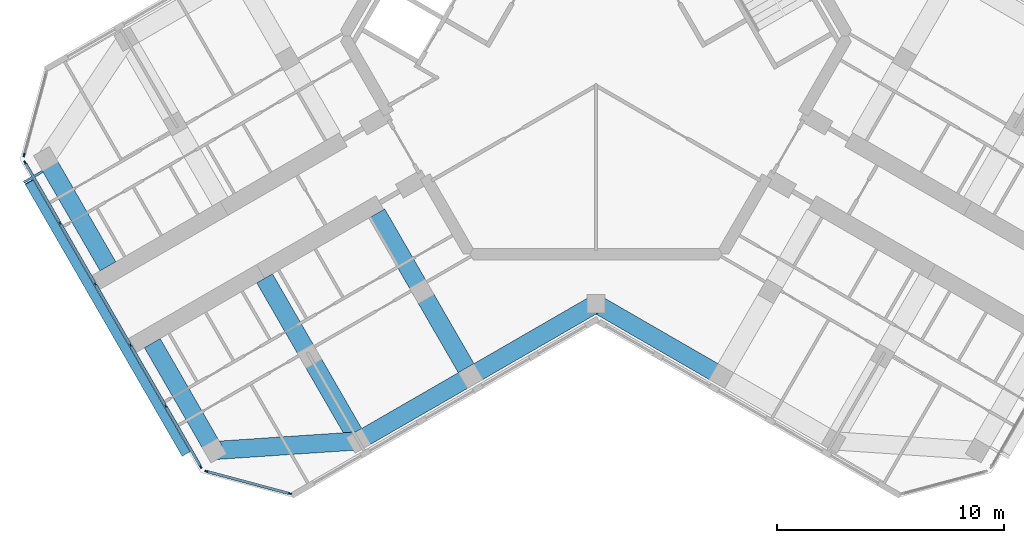
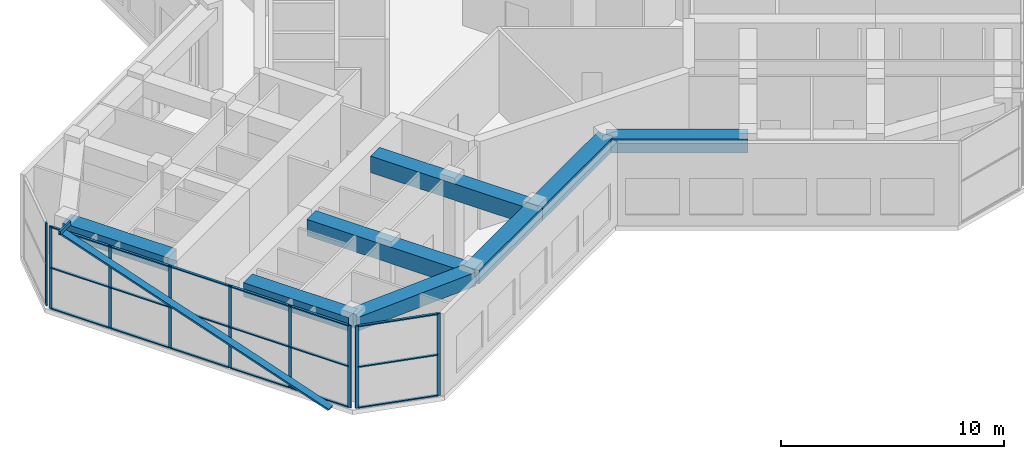
# One storey, part 2 of 14: 29 members, 8 beams, 3 elements without a shape of their own.
"""IFC4 building model written with IfcOpenShell, lengths in metres."""

from ifc_helpers import new_model, si_unit, direction, frame, origin, origin_2d, place, context, subcontext, project, spatial, rectangle, hollow_rectangle, extrude, material, material_profile, profile_set, type_object, element, aggregate, save


model = new_model("IFC4")

# Units and contexts
model_context = context("Model", 3, precision=1e-05, world=origin(), true_north=direction((0.0, 1.0)))
body_context = subcontext(model_context, "Body", "Model", "MODEL_VIEW")
ifc_project = project(units=[si_unit("LENGTHUNIT", "METRE"), si_unit("AREAUNIT", "SQUARE_METRE"), si_unit("VOLUMEUNIT", "CUBIC_METRE"), si_unit("PLANEANGLEUNIT", "RADIAN"), si_unit("MASSUNIT", "GRAM", prefix="KILO")], contexts=[model_context])

# Site, building, storey
site_placement = place(None, origin())
site = spatial("IfcSite", under=ifc_project, at=site_placement, CompositionType="ELEMENT")
building_placement = place(site_placement, origin())
building = spatial("IfcBuilding", under=site, at=building_placement, Name="Kosmar Iwan School Tower", CompositionType="ELEMENT")
storey_placement = place(building_placement, frame((0.0, 0.0, 296.199951171875)))
storey = spatial("IfcBuildingStorey", under=building, at=storey_placement, Name="L75", CompositionType="ELEMENT", Elevation=296.199951171875)

# Members
ifc_material_1 = material(Name="Black anodised aluminium", Category="aluminium")
ifc_material_profile_1 = material_profile(ifc_material_1, rectangle(XDim=0.10009765625, YDim=0.39990234375, at=origin_2d()), Name="FIN 100x400")
ifc_profile_set_1 = profile_set([ifc_material_profile_1], Name="Black anodised aluminium")
member_type_1 = type_object("IfcMemberType", Name="Diagonal fin 100x400", PredefinedType="USERDEFINED", material=ifc_profile_set_1)
member_1_placement = place(storey_placement, frame((-18.0283203125, -18.3740234375, -0.14990234375), z_axis=(-0.472764937305, 0.818851292401, 0.325539360121), x_axis=(0.162769918452, -0.281925218161, 0.945528489794)))
element("IfcMember", 1, at=member_1_placement, inside=storey, type_object=member_type_1, Name="Diagonal fin L75-F13", ObjectType="FIN", PredefinedType="USERDEFINED", context=body_context, shape_type="SweptSolid", body=[
    extrude(rectangle(XDim=0.10009765625, YDim=0.39990234375, at=origin_2d()), origin(), (0.0, 0.0, 1.0), 14.591064453125),
])
ifc_material_2 = material(Name="Steel S355", Category="steel")
ifc_material_profile_2 = material_profile(ifc_material_2, hollow_rectangle(XDim=0.10009765625, YDim=0.199951171875, WallThickness=0.008056640625, at=origin_2d()), Name="RHS 200x100x8")
ifc_profile_set_2 = profile_set([ifc_material_profile_2], Name="Steel S355")
member_type_2 = type_object("IfcMemberType", Name="Fin bracket RHS 200x100", PredefinedType="USERDEFINED", material=ifc_profile_set_2)
member_2_placement = place(storey_placement, frame((-24.327880859375, -5.962890625, 4.650146484375), z_axis=(-0.866100000774, -0.49987077196, 0.0), x_axis=(0.49987077196, -0.866100000774, 0.0)))
element("IfcMember", 2, at=member_2_placement, inside=storey, type_object=member_type_2, Name="Fin bracket RF", ObjectType="FIN BRACKET", PredefinedType="USERDEFINED", context=body_context, shape_type="SweptSolid", body=[
    extrude(hollow_rectangle(XDim=0.10009765625, YDim=0.199951171875, WallThickness=0.008056640625, at=origin_2d()), origin(), (0.0, 0.0, 1.0), 0.949951171875),
])

# Curtain wall, member
ifc_material_3 = material(Name="Dark glass in black aluminium frame", Category="aluminium")
curtain_wall_type = type_object("IfcCurtainWallType", Name="Top floor curtain wall", PredefinedType="USERDEFINED", material=ifc_material_3)
curtain_wall_1_placement = place(storey_placement, origin())
curtain_wall_1 = element("IfcCurtainWall", 3, at=curtain_wall_1_placement, inside=storey, type_object=curtain_wall_type, Name="Curtain wall L75-F12", ObjectType="FULL HEIGHT CURTAIN WALL", PredefinedType="USERDEFINED")
ifc_material_4 = material(Name="Black anodised aluminium", Category="aluminium")
ifc_material_profile_3 = material_profile(ifc_material_4, rectangle(XDim=0.06005859375, YDim=0.159912109375, at=origin_2d()), Name="MULLION 60x160")
ifc_profile_set_3 = profile_set([ifc_material_profile_3], Name="Black anodised aluminium")
member_type_3 = type_object("IfcMemberType", Name="Mullion 60x160", PredefinedType="MULLION", material=ifc_profile_set_3)
member_3_placement = place(storey_placement, frame((-25.141845703125, -5.24853515625, 0.0), z_axis=(0.0, 0.0, 1.0), x_axis=(0.965925875495, -0.258818861462, 0.0)))
member_3 = element("IfcMember", 4, at=member_3_placement, type_object=member_type_3, Name="CW5 mullion 2", PredefinedType="MULLION", context=body_context, shape_type="SweptSolid", body=[
    extrude(rectangle(XDim=0.06005859375, YDim=0.159912109375, at=origin_2d()), origin(), (0.0, 0.0, 1.0), 4.5),
])
aggregate(curtain_wall_1, [member_3])

# Curtain wall, members
curtain_wall_2_placement = place(storey_placement, origin())
curtain_wall_2 = element("IfcCurtainWall", 5, at=curtain_wall_2_placement, inside=storey, type_object=curtain_wall_type, Name="Curtain wall L75-F13", ObjectType="FULL HEIGHT CURTAIN WALL", PredefinedType="USERDEFINED")
member_4_placement = place(storey_placement, frame((-25.098388671875, -5.578369140625, 0.0), z_axis=(0.0, 0.0, 1.0), x_axis=(0.866025405329, 0.499999997325, 0.0)))
member_4 = element("IfcMember", 6, at=member_4_placement, type_object=member_type_3, Name="CW5 mullion 1", PredefinedType="MULLION", context=body_context, shape_type="SweptSolid", body=[
    extrude(rectangle(XDim=0.06005859375, YDim=0.159912109375, at=origin_2d()), origin(), (0.0, 0.0, 1.0), 4.5),
])
member_5_placement = place(storey_placement, frame((-23.563720703125, -8.236328125, 0.0), z_axis=(0.0, 0.0, 1.0), x_axis=(0.866025405329, 0.499999997325, 0.0)))
member_5 = element("IfcMember", 7, at=member_5_placement, type_object=member_type_3, Name="CW5 mullion 2", PredefinedType="MULLION", context=body_context, shape_type="SweptSolid", body=[
    extrude(rectangle(XDim=0.06005859375, YDim=0.159912109375, at=origin_2d()), origin(), (0.0, 0.0, 1.0), 4.5),
])
member_6_placement = place(storey_placement, frame((-22.01416015625, -10.92041015625, 0.0), z_axis=(0.0, 0.0, 1.0), x_axis=(0.866025405329, 0.499999997325, 0.0)))
member_6 = element("IfcMember", 8, at=member_6_placement, type_object=member_type_3, Name="CW5 mullion 3", PredefinedType="MULLION", context=body_context, shape_type="SweptSolid", body=[
    extrude(rectangle(XDim=0.06005859375, YDim=0.159912109375, at=origin_2d()), origin(), (0.0, 0.0, 1.0), 4.5),
])
member_7_placement = place(storey_placement, frame((-20.46435546875, -13.6044921875, 0.0), z_axis=(0.0, 0.0, 1.0), x_axis=(0.866025405329, 0.499999997325, 0.0)))
member_7 = element("IfcMember", 9, at=member_7_placement, type_object=member_type_3, Name="CW5 mullion 4", PredefinedType="MULLION", context=body_context, shape_type="SweptSolid", body=[
    extrude(rectangle(XDim=0.06005859375, YDim=0.159912109375, at=origin_2d()), origin(), (0.0, 0.0, 1.0), 4.5),
])
member_8_placement = place(storey_placement, frame((-18.914794921875, -16.28857421875, 0.0), z_axis=(0.0, 0.0, 1.0), x_axis=(0.866025405329, 0.499999997325, 0.0)))
member_8 = element("IfcMember", 10, at=member_8_placement, type_object=member_type_3, Name="CW5 mullion 5", PredefinedType="MULLION", context=body_context, shape_type="SweptSolid", body=[
    extrude(rectangle(XDim=0.06005859375, YDim=0.159912109375, at=origin_2d()), origin(), (0.0, 0.0, 1.0), 4.5),
])
member_9_placement = place(storey_placement, frame((-17.380126953125, -18.94677734375, 0.0), z_axis=(0.0, 0.0, 1.0), x_axis=(0.866025405329, 0.499999997325, 0.0)))
member_9 = element("IfcMember", 11, at=member_9_placement, type_object=member_type_3, Name="CW5 mullion 6", PredefinedType="MULLION", context=body_context, shape_type="SweptSolid", body=[
    extrude(rectangle(XDim=0.06005859375, YDim=0.159912109375, at=origin_2d()), origin(), (0.0, 0.0, 1.0), 4.5),
])

curtain_wall_3_placement = place(storey_placement, origin())
curtain_wall_3 = element("IfcCurtainWall", 12, at=curtain_wall_3_placement, inside=storey, type_object=curtain_wall_type, Name="Curtain wall L75-F14", ObjectType="FULL HEIGHT CURTAIN WALL", PredefinedType="USERDEFINED")
member_10_placement = place(storey_placement, frame((-17.1162109375, -19.149169921875, 0.0), z_axis=(0.0, 0.0, 1.0), x_axis=(0.258818861462, 0.965925875495, 0.0)))
member_10 = element("IfcMember", 13, at=member_10_placement, type_object=member_type_3, Name="CW5 mullion 1", PredefinedType="MULLION", context=body_context, shape_type="SweptSolid", body=[
    extrude(rectangle(XDim=0.06005859375, YDim=0.159912109375, at=origin_2d()), origin(), (0.0, 0.0, 1.0), 4.5),
])
member_11_placement = place(storey_placement, frame((-13.466064453125, -20.127197265625, 0.0), z_axis=(0.0, 0.0, 1.0), x_axis=(0.258818861462, 0.965925875495, 0.0)))
member_11 = element("IfcMember", 14, at=member_11_placement, type_object=member_type_3, Name="CW5 mullion 2", PredefinedType="MULLION", context=body_context, shape_type="SweptSolid", body=[
    extrude(rectangle(XDim=0.06005859375, YDim=0.159912109375, at=origin_2d()), origin(), (0.0, 0.0, 1.0), 4.5),
])

# Beams
ifc_material_5 = material(Name="Concrete C50/60", Category="concrete")
ifc_material_profile_4 = material_profile(ifc_material_5, rectangle(XDim=0.800048828125, YDim=0.75, at=origin_2d()), Name="RC 800x750")
ifc_profile_set_4 = profile_set([ifc_material_profile_4], Name="Concrete C50/60")
beam_type_1 = type_object("IfcBeamType", Name="RC edge beam 800x750", PredefinedType="BEAM", material=ifc_profile_set_4)
beam_1_placement = place(storey_placement, frame((0.0, -11.77783203125, 4.125), z_axis=(-0.866014293216, -0.500019243575, 0.0), x_axis=(0.500019243575, -0.866014293216, 0.0)))
element("IfcBeam", 15, at=beam_1_placement, inside=storey, type_object=beam_type_1, Name="Edge beam BL1", PredefinedType="BEAM", context=body_context, shape_type="SweptSolid", body=[
    extrude(rectangle(XDim=0.800048828125, YDim=0.75, at=origin_2d()), origin(), (0.0, 0.0, 1.0), 6.361083984375),
])
beam_2_placement = place(storey_placement, frame((-5.5087890625, -14.95849609375, 4.125), z_axis=(-0.866033658841, -0.49998570155, 0.0), x_axis=(0.49998570155, -0.866033658841, 0.0)))
element("IfcBeam", 16, at=beam_2_placement, inside=storey, type_object=beam_type_1, Name="Edge beam BL2", PredefinedType="BEAM", context=body_context, shape_type="SweptSolid", body=[
    extrude(rectangle(XDim=0.800048828125, YDim=0.75, at=origin_2d()), origin(), (0.0, 0.0, 1.0), 5.699951171875),
])
beam_3_placement = place(storey_placement, frame((0.0, -11.77783203125, 4.125), z_axis=(0.866014293216, -0.500019243575, 0.0), x_axis=(0.500019243575, 0.866014293216, 0.0)))
element("IfcBeam", 17, at=beam_3_placement, inside=storey, type_object=beam_type_1, Name="Edge beam CR1", PredefinedType="BEAM", context=body_context, shape_type="SweptSolid", body=[
    extrude(rectangle(XDim=0.800048828125, YDim=0.75, at=origin_2d()), origin(), (0.0, 0.0, 1.0), 6.361083984375),
])
ifc_material_6 = material(Name="Concrete C50/60", Category="concrete")
ifc_material_profile_5 = material_profile(ifc_material_6, rectangle(XDim=0.800048828125, YDim=0.75, at=origin_2d()), Name="RC 800x750")
ifc_profile_set_5 = profile_set([ifc_material_profile_5], Name="Concrete C50/60")
beam_type_2 = type_object("IfcBeamType", Name="RC tip beam 800x750", PredefinedType="BEAM", material=ifc_profile_set_5)
beam_4_placement = place(storey_placement, frame((-10.445068359375, -17.808349609375, 4.125), z_axis=(-0.997755118724, -0.066968074933, 0.0), x_axis=(0.066968074933, -0.997755118724, 0.0)))
element("IfcBeam", 18, at=beam_4_placement, inside=storey, type_object=beam_type_2, Name="Tip beam BL", PredefinedType="BEAM", context=body_context, shape_type="SweptSolid", body=[
    extrude(rectangle(XDim=0.800048828125, YDim=0.75, at=origin_2d()), origin(), (0.0, 0.0, 1.0), 6.3505859375),
])
beam_5_placement = place(storey_placement, frame((-16.781494140625, -18.233642578125, 4.125), z_axis=(-0.500002931134, 0.866023711487, 0.0), x_axis=(-0.866023711487, -0.500002931134, 0.0)))
element("IfcBeam", 19, at=beam_5_placement, inside=storey, type_object=beam_type_2, Name="Tip beam BL to corridor wall", PredefinedType="BEAM", context=body_context, shape_type="SweptSolid", body=[
    extrude(rectangle(XDim=0.800048828125, YDim=0.75, at=origin_2d()), origin(), (0.0, 0.0, 1.0), 5.4501953125),
])
beam_6_placement = place(storey_placement, frame((-24.181396484375, -5.41650390625, 4.125), z_axis=(0.499988730927, -0.866031909889, 0.0), x_axis=(0.866031909889, 0.499988730927, 0.0)))
element("IfcBeam", 20, at=beam_6_placement, inside=storey, type_object=beam_type_2, Name="Tip beam BR to corridor wall", PredefinedType="BEAM", context=body_context, shape_type="SweptSolid", body=[
    extrude(rectangle(XDim=0.800048828125, YDim=0.75, at=origin_2d()), origin(), (0.0, 0.0, 1.0), 5.449951171875),
])
ifc_material_7 = material(Name="Concrete C50/60", Category="concrete")
ifc_material_profile_6 = material_profile(ifc_material_7, rectangle(XDim=0.800048828125, YDim=0.89990234375, at=origin_2d()), Name="RC 800x900")
ifc_profile_set_6 = profile_set([ifc_material_profile_6], Name="Concrete C50/60")
beam_type_3 = type_object("IfcBeamType", Name="RC transverse beam 800x900", PredefinedType="BEAM", material=ifc_profile_set_6)
beam_7_placement = place(storey_placement, frame((-5.5087890625, -14.95849609375, 4.050048828125), z_axis=(-0.499996545922, 0.866027397988, 0.0), x_axis=(-0.866027397988, -0.499996545922, 0.0)))
element("IfcBeam", 21, at=beam_7_placement, inside=storey, type_object=beam_type_3, Name="Transverse beam BL1", PredefinedType="BEAM", context=body_context, shape_type="SweptSolid", body=[
    extrude(rectangle(XDim=0.800048828125, YDim=0.89990234375, at=origin_2d()), origin(), (0.0, 0.0, 1.0), 8.25),
])
beam_8_placement = place(storey_placement, frame((-10.445068359375, -17.808349609375, 4.050048828125), z_axis=(-0.500009360108, 0.866019999656, 0.0), x_axis=(-0.866019999656, -0.500009360108, 0.0)))
element("IfcBeam", 22, at=beam_8_placement, inside=storey, type_object=beam_type_3, Name="Transverse beam BL2", PredefinedType="BEAM", context=body_context, shape_type="SweptSolid", body=[
    extrude(rectangle(XDim=0.800048828125, YDim=0.89990234375, at=origin_2d()), origin(), (0.0, 0.0, 1.0), 8.249755859375),
])

# Member
ifc_material_8 = material(Name="Black anodised aluminium", Category="aluminium")
ifc_material_profile_7 = material_profile(ifc_material_8, rectangle(XDim=0.1201171875, YDim=0.06005859375, at=origin_2d()), Name="TRANSOM 60x120")
ifc_profile_set_7 = profile_set([ifc_material_profile_7], Name="Black anodised aluminium")
member_type_4 = type_object("IfcMemberType", Name="Transom 60x120", PredefinedType="USERDEFINED", material=ifc_profile_set_7)
member_12_placement = place(storey_placement, frame((-25.08349609375, -5.604248046875, 0.030029296875), z_axis=(0.499986971506, -0.866032925658, 0.0), x_axis=(0.866032925658, 0.499986971506, 0.0)))
member_12 = element("IfcMember", 23, at=member_12_placement, type_object=member_type_4, Name="CW5 transom 1.1", ObjectType="TRANSOM", PredefinedType="USERDEFINED", context=body_context, shape_type="SweptSolid", body=[
    extrude(rectangle(XDim=0.1201171875, YDim=0.06005859375, at=origin_2d()), origin(), (0.0, 0.0, 1.0), 3.00927734375),
])

member_13_placement = place(storey_placement, frame((-25.08349609375, -5.604248046875, 2.25), z_axis=(0.499986971506, -0.866032925658, 0.0), x_axis=(0.866032925658, 0.499986971506, 0.0)))
member_13 = element("IfcMember", 24, at=member_13_placement, type_object=member_type_4, Name="CW5 transom 1.2", ObjectType="TRANSOM", PredefinedType="USERDEFINED", context=body_context, shape_type="SweptSolid", body=[
    extrude(rectangle(XDim=0.1201171875, YDim=0.06005859375, at=origin_2d()), origin(), (0.0, 0.0, 1.0), 3.00927734375),
])

member_14_placement = place(storey_placement, frame((-25.08349609375, -5.604248046875, 4.469970703125), z_axis=(0.499986971506, -0.866032925658, 0.0), x_axis=(0.866032925658, 0.499986971506, 0.0)))
member_14 = element("IfcMember", 25, at=member_14_placement, type_object=member_type_4, Name="CW5 transom 1.3", ObjectType="TRANSOM", PredefinedType="USERDEFINED", context=body_context, shape_type="SweptSolid", body=[
    extrude(rectangle(XDim=0.1201171875, YDim=0.06005859375, at=origin_2d()), origin(), (0.0, 0.0, 1.0), 3.00927734375),
])

member_15_placement = place(storey_placement, frame((-23.548828125, -8.262451171875, 0.030029296875), z_axis=(0.500035348339, -0.866004994449, 0.0), x_axis=(0.866004994449, 0.500035348339, 0.0)))
member_15 = element("IfcMember", 26, at=member_15_placement, type_object=member_type_4, Name="CW5 transom 2.1", ObjectType="TRANSOM", PredefinedType="USERDEFINED", context=body_context, shape_type="SweptSolid", body=[
    extrude(rectangle(XDim=0.1201171875, YDim=0.06005859375, at=origin_2d()), origin(), (0.0, 0.0, 1.0), 3.039306640625),
])

member_16_placement = place(storey_placement, frame((-23.548828125, -8.262451171875, 2.25), z_axis=(0.500035348339, -0.866004994449, 0.0), x_axis=(0.866004994449, 0.500035348339, 0.0)))
member_16 = element("IfcMember", 27, at=member_16_placement, type_object=member_type_4, Name="CW5 transom 2.2", ObjectType="TRANSOM", PredefinedType="USERDEFINED", context=body_context, shape_type="SweptSolid", body=[
    extrude(rectangle(XDim=0.1201171875, YDim=0.06005859375, at=origin_2d()), origin(), (0.0, 0.0, 1.0), 3.039306640625),
])

member_17_placement = place(storey_placement, frame((-23.548828125, -8.262451171875, 4.469970703125), z_axis=(0.500035348339, -0.866004994449, 0.0), x_axis=(0.866004994449, 0.500035348339, 0.0)))
member_17 = element("IfcMember", 28, at=member_17_placement, type_object=member_type_4, Name="CW5 transom 2.3", ObjectType="TRANSOM", PredefinedType="USERDEFINED", context=body_context, shape_type="SweptSolid", body=[
    extrude(rectangle(XDim=0.1201171875, YDim=0.06005859375, at=origin_2d()), origin(), (0.0, 0.0, 1.0), 3.039306640625),
])

member_18_placement = place(storey_placement, frame((-21.9990234375, -10.946533203125, 0.030029296875), z_axis=(0.499975102327, -0.866039777986, 0.0), x_axis=(0.866039777986, 0.499975102327, 0.0)))
member_18 = element("IfcMember", 29, at=member_18_placement, type_object=member_type_4, Name="CW5 transom 3.1", ObjectType="TRANSOM", PredefinedType="USERDEFINED", context=body_context, shape_type="SweptSolid", body=[
    extrude(rectangle(XDim=0.1201171875, YDim=0.06005859375, at=origin_2d()), origin(), (0.0, 0.0, 1.0), 3.039306640625),
])

member_19_placement = place(storey_placement, frame((-21.9990234375, -10.946533203125, 2.25), z_axis=(0.499975102327, -0.866039777986, 0.0), x_axis=(0.866039777986, 0.499975102327, 0.0)))
member_19 = element("IfcMember", 30, at=member_19_placement, type_object=member_type_4, Name="CW5 transom 3.2", ObjectType="TRANSOM", PredefinedType="USERDEFINED", context=body_context, shape_type="SweptSolid", body=[
    extrude(rectangle(XDim=0.1201171875, YDim=0.06005859375, at=origin_2d()), origin(), (0.0, 0.0, 1.0), 3.039306640625),
])

member_20_placement = place(storey_placement, frame((-21.9990234375, -10.946533203125, 4.469970703125), z_axis=(0.499975102327, -0.866039777986, 0.0), x_axis=(0.866039777986, 0.499975102327, 0.0)))
member_20 = element("IfcMember", 31, at=member_20_placement, type_object=member_type_4, Name="CW5 transom 3.3", ObjectType="TRANSOM", PredefinedType="USERDEFINED", context=body_context, shape_type="SweptSolid", body=[
    extrude(rectangle(XDim=0.1201171875, YDim=0.06005859375, at=origin_2d()), origin(), (0.0, 0.0, 1.0), 3.039306640625),
])

member_21_placement = place(storey_placement, frame((-20.449462890625, -13.630615234375, 0.030029296875), z_axis=(0.500035348339, -0.866004994449, 0.0), x_axis=(0.866004994449, 0.500035348339, 0.0)))
member_21 = element("IfcMember", 32, at=member_21_placement, type_object=member_type_4, Name="CW5 transom 4.1", ObjectType="TRANSOM", PredefinedType="USERDEFINED", context=body_context, shape_type="SweptSolid", body=[
    extrude(rectangle(XDim=0.1201171875, YDim=0.06005859375, at=origin_2d()), origin(), (0.0, 0.0, 1.0), 3.039306640625),
])

member_22_placement = place(storey_placement, frame((-20.449462890625, -13.630615234375, 2.25), z_axis=(0.500035348339, -0.866004994449, 0.0), x_axis=(0.866004994449, 0.500035348339, 0.0)))
member_22 = element("IfcMember", 33, at=member_22_placement, type_object=member_type_4, Name="CW5 transom 4.2", ObjectType="TRANSOM", PredefinedType="USERDEFINED", context=body_context, shape_type="SweptSolid", body=[
    extrude(rectangle(XDim=0.1201171875, YDim=0.06005859375, at=origin_2d()), origin(), (0.0, 0.0, 1.0), 3.039306640625),
])

member_23_placement = place(storey_placement, frame((-20.449462890625, -13.630615234375, 4.469970703125), z_axis=(0.500035348339, -0.866004994449, 0.0), x_axis=(0.866004994449, 0.500035348339, 0.0)))
member_23 = element("IfcMember", 34, at=member_23_placement, type_object=member_type_4, Name="CW5 transom 4.3", ObjectType="TRANSOM", PredefinedType="USERDEFINED", context=body_context, shape_type="SweptSolid", body=[
    extrude(rectangle(XDim=0.1201171875, YDim=0.06005859375, at=origin_2d()), origin(), (0.0, 0.0, 1.0), 3.039306640625),
])

member_24_placement = place(storey_placement, frame((-18.89990234375, -16.314697265625, 0.030029296875), z_axis=(0.500022102064, -0.866012642776, 0.0), x_axis=(0.866012642776, 0.500022102064, 0.0)))
member_24 = element("IfcMember", 35, at=member_24_placement, type_object=member_type_4, Name="CW5 transom 5.1", ObjectType="TRANSOM", PredefinedType="USERDEFINED", context=body_context, shape_type="SweptSolid", body=[
    extrude(rectangle(XDim=0.1201171875, YDim=0.06005859375, at=origin_2d()), origin(), (0.0, 0.0, 1.0), 3.009033203125),
])

member_25_placement = place(storey_placement, frame((-18.89990234375, -16.314697265625, 2.25), z_axis=(0.500022102064, -0.866012642776, 0.0), x_axis=(0.866012642776, 0.500022102064, 0.0)))
member_25 = element("IfcMember", 36, at=member_25_placement, type_object=member_type_4, Name="CW5 transom 5.2", ObjectType="TRANSOM", PredefinedType="USERDEFINED", context=body_context, shape_type="SweptSolid", body=[
    extrude(rectangle(XDim=0.1201171875, YDim=0.06005859375, at=origin_2d()), origin(), (0.0, 0.0, 1.0), 3.009033203125),
])

member_26_placement = place(storey_placement, frame((-18.89990234375, -16.314697265625, 4.469970703125), z_axis=(0.500022102064, -0.866012642776, 0.0), x_axis=(0.866012642776, 0.500022102064, 0.0)))
member_26 = element("IfcMember", 37, at=member_26_placement, type_object=member_type_4, Name="CW5 transom 5.3", ObjectType="TRANSOM", PredefinedType="USERDEFINED", context=body_context, shape_type="SweptSolid", body=[
    extrude(rectangle(XDim=0.1201171875, YDim=0.06005859375, at=origin_2d()), origin(), (0.0, 0.0, 1.0), 3.009033203125),
])

aggregate(curtain_wall_2, [member_4, member_5, member_6, member_7, member_8, member_9, member_12, member_13, member_14, member_15, member_16, member_17, member_18, member_19, member_20, member_21, member_22, member_23, member_24, member_25, member_26])

member_27_placement = place(storey_placement, frame((-17.08740234375, -19.156982421875, 0.030029296875), z_axis=(0.965940141052, -0.258765615768, 0.0), x_axis=(0.258765615768, 0.965940141052, 0.0)))
member_27 = element("IfcMember", 38, at=member_27_placement, type_object=member_type_4, Name="CW5 transom 1.1", ObjectType="TRANSOM", PredefinedType="USERDEFINED", context=body_context, shape_type="SweptSolid", body=[
    extrude(rectangle(XDim=0.1201171875, YDim=0.06005859375, at=origin_2d()), origin(), (0.0, 0.0, 1.0), 3.71923828125),
])

member_28_placement = place(storey_placement, frame((-17.08740234375, -19.156982421875, 2.25), z_axis=(0.965940141052, -0.258765615768, 0.0), x_axis=(0.258765615768, 0.965940141052, 0.0)))
member_28 = element("IfcMember", 39, at=member_28_placement, type_object=member_type_4, Name="CW5 transom 1.2", ObjectType="TRANSOM", PredefinedType="USERDEFINED", context=body_context, shape_type="SweptSolid", body=[
    extrude(rectangle(XDim=0.1201171875, YDim=0.06005859375, at=origin_2d()), origin(), (0.0, 0.0, 1.0), 3.71923828125),
])

member_29_placement = place(storey_placement, frame((-17.08740234375, -19.156982421875, 4.469970703125), z_axis=(0.965940141052, -0.258765615768, 0.0), x_axis=(0.258765615768, 0.965940141052, 0.0)))
member_29 = element("IfcMember", 40, at=member_29_placement, type_object=member_type_4, Name="CW5 transom 1.3", ObjectType="TRANSOM", PredefinedType="USERDEFINED", context=body_context, shape_type="SweptSolid", body=[
    extrude(rectangle(XDim=0.1201171875, YDim=0.06005859375, at=origin_2d()), origin(), (0.0, 0.0, 1.0), 3.71923828125),
])

aggregate(curtain_wall_3, [member_10, member_11, member_27, member_28, member_29])

save(model, "model.ifc")
